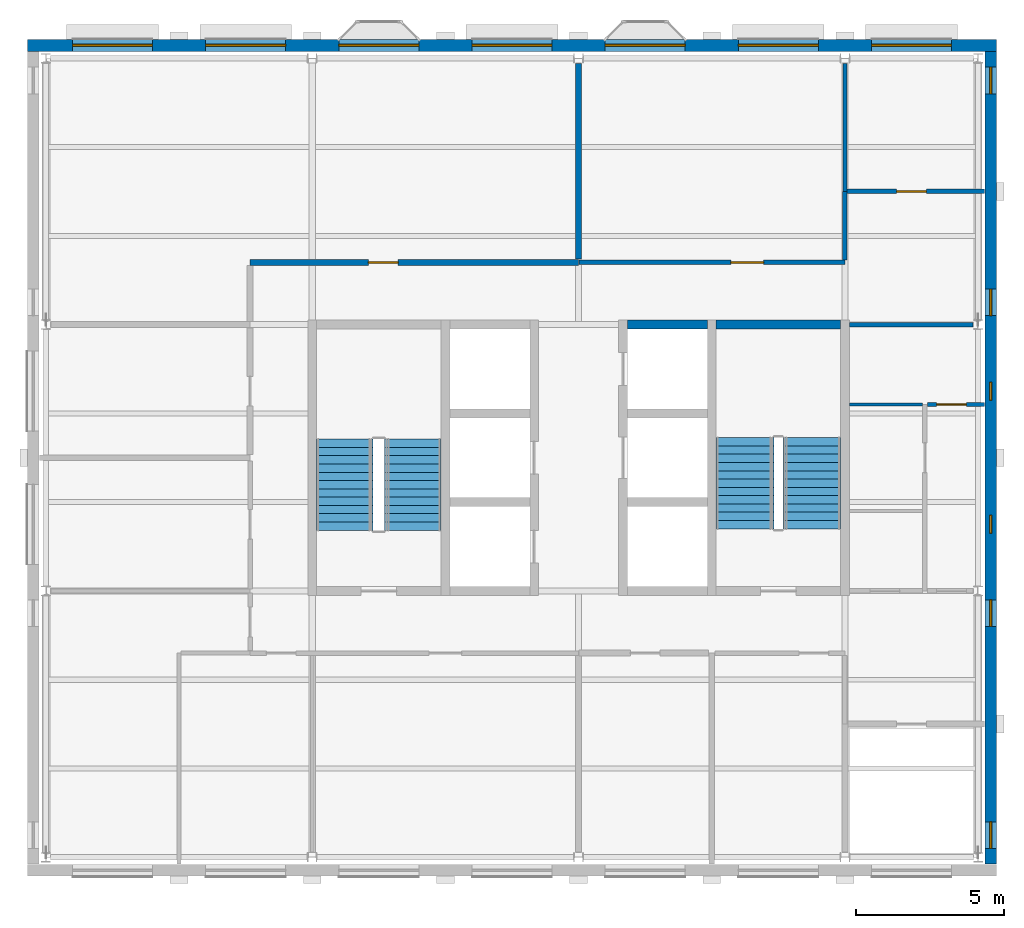
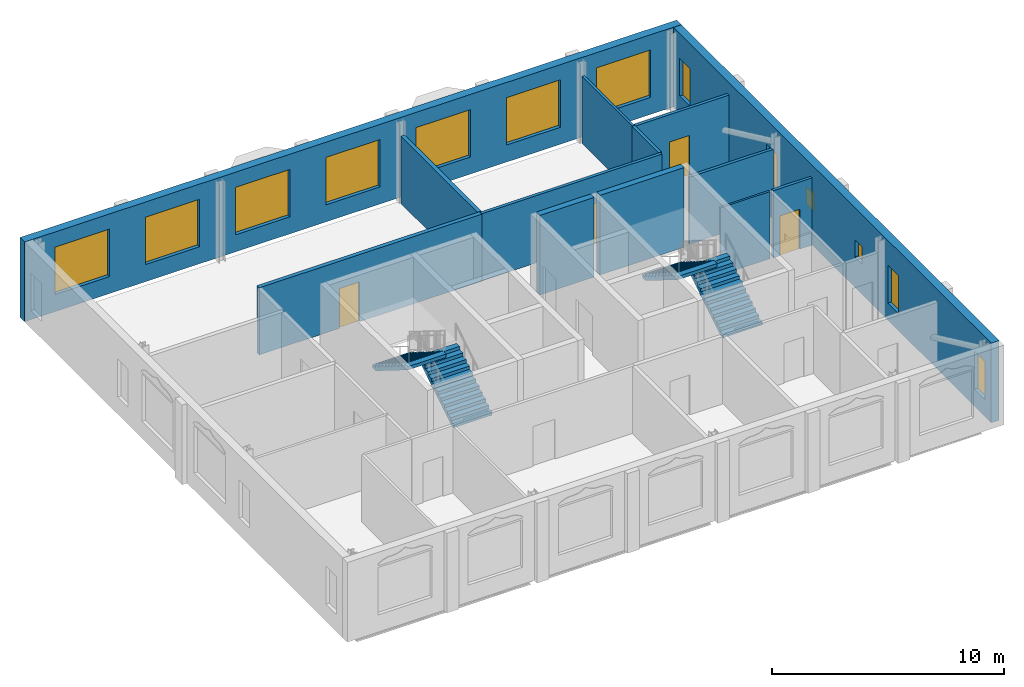
# One storey, part 5 of 9: 13 walls, 13 windows, 4 doors, 4 stair flights, 17 openings, 2 elements without a shape of their own.
"""IFC4 building model written with IfcOpenShell, lengths in metres."""

from ifc_helpers import new_model, si_unit, direction, frame, frame_2d, origin, place, context, subcontext, project, spatial, polyline, rectangle, outline, extrude, material, layer, layer_set, type_object, element, fill, aggregate, save


model = new_model("IFC4")

# Units and contexts
model_context = context("Model", 3, precision=1e-05, world=origin(), true_north=direction((0.0, 1.0)))
body_context = subcontext(model_context, "Body", "Model", "MODEL_VIEW")
ifc_project = project(units=[si_unit("LENGTHUNIT", "METRE"), si_unit("AREAUNIT", "SQUARE_METRE"), si_unit("VOLUMEUNIT", "CUBIC_METRE"), si_unit("PLANEANGLEUNIT", "RADIAN"), si_unit("MASSUNIT", "GRAM", prefix="KILO")], contexts=[model_context])

# Site, building, storey
site_placement = place(None, origin())
site = spatial("IfcSite", under=ifc_project, at=site_placement, CompositionType="ELEMENT")
building_placement = place(site_placement, origin())
building = spatial("IfcBuilding", under=site, at=building_placement, Name="Hortulan Conservatory and Botanical Research Centre", CompositionType="ELEMENT")
storey_placement = place(building_placement, frame((0.0, 0.0, 44.39990234375)))
storey = spatial("IfcBuildingStorey", under=building, at=storey_placement, Name="L10", CompositionType="ELEMENT", Elevation=44.39990234375)

# Wall
ifc_material_1 = material(Name="Fire-rated plasterboard on steel studs", Category="steel")
ifc_layer_1 = layer(ifc_material_1, 0.199951171875)
ifc_layer_set_1 = layer_set([ifc_layer_1], Name="Compartment Partition 200")
wall_type_1 = type_object("IfcWallType", Name="Compartment Partition 200", PredefinedType="PARTITIONING", material=ifc_layer_set_1)
wall_1_placement = place(storey_placement, frame((18.0, 20.2099609375, 0.0), z_axis=(0.0, 0.0, 1.0), x_axis=(0.0, 1.0, 0.0)))
element("IfcWall", 1, at=wall_1_placement, inside=storey, type_object=wall_type_1, Name="Store wall", PredefinedType="PARTITIONING", context=body_context, shape_type="SweptSolid", body=[
    extrude(rectangle(XDim=6.61962890625, YDim=0.199951171875, at=frame_2d((3.309814453125, 0.0))), origin(), (0.0, 0.0, 1.0), 3.5419921875),
])

# Wall, opening, door
wall_2_placement = place(storey_placement, frame((6.89990234375, 20.10009765625, 0.0), z_axis=(0.0, 0.0, 1.0), x_axis=(1.0, 0.0, 0.0)))
wall_2 = element("IfcWall", 2, at=wall_2_placement, inside=storey, type_object=wall_type_1, Name="Store wall", PredefinedType="PARTITIONING", context=body_context, shape_type="SweptSolid", body=[
    extrude(rectangle(XDim=11.10009765625, YDim=0.199951171875, at=frame_2d((5.550048828125, 0.0))), origin(), (0.0, 0.0, 1.0), 3.5419921875),
])
opening_1_placement = place(wall_2_placement, frame((4.0, 0.0, 0.0)))
opening_1 = element("IfcOpeningElement", 3, at=opening_1_placement, cuts=wall_2, Name="Opening DT6", PredefinedType="OPENING", context=body_context, shape_type="SweptSolid", body=[
    extrude(rectangle(XDim=1.0, YDim=2.10009765625, at=frame_2d((0.5, 1.050048828125))), frame((0.0, 0.10986328125, 0.0), z_axis=(0.0, -1.0, 0.0), x_axis=(1.0, 0.0, 0.0)), (0.0, 0.0, 1.0), 0.219970703125),
])
ifc_material_2 = material(Name="Steel door leaf, insulated", Category="steel")
door_type_1 = type_object("IfcDoorType", Name="Fire Door 1000x2100 FRL -/120/30", OperationType="NOTDEFINED", PredefinedType="DOOR", material=ifc_material_2)
door_1_placement = place(opening_1_placement, origin())
door_1 = element("IfcDoor", 4, at=door_1_placement, inside=storey, type_object=door_type_1, Name="Door DT6 Cryopreservation Laboratory", OperationType="SINGLE_SWING_RIGHT", OverallHeight=2.10009765625, OverallWidth=1.0, PredefinedType="DOOR", context=body_context, shape_type="SweptSolid", body=[
    extrude(rectangle(XDim=1.0, YDim=2.10009765625, at=frame_2d((0.5, 1.050048828125))), frame((0.0, 0.02490234375, 0.0), z_axis=(0.0, -1.0, 0.0), x_axis=(1.0, 0.0, 0.0)), (0.0, 0.0, 1.0), 0.050048828125),
])
fill(opening_1, door_1)

# Walls
ifc_material_3 = material(Name="Concrete N40 (40 MPa, AS 3600)", Category="concrete")
ifc_layer_2 = layer(ifc_material_3, 0.300048828125)
ifc_layer_set_2 = layer_set([ifc_layer_2], Name="Core Wall 300 N40 FRL 240/120/120")
wall_type_2 = type_object("IfcWallType", Name="Core Wall 300 N40 FRL 240/120/120", PredefinedType="SHEAR", material=ifc_layer_set_2)
wall_3_placement = place(storey_placement, frame((19.64990234375, 18.0, 0.0), z_axis=(0.0, 0.0, 1.0), x_axis=(1.0, 0.0, 0.0)))
element("IfcWall", 5, at=wall_3_placement, inside=storey, type_object=wall_type_2, Name="Reinforced concrete shaft wall", PredefinedType="SHEAR", context=body_context, shape_type="SweptSolid", body=[
    extrude(rectangle(XDim=2.7001953125, YDim=0.300048828125, at=frame_2d((1.35009765625, 0.0))), origin(), (0.0, 0.0, 1.0), 4.2001953125),
])
wall_4_placement = place(storey_placement, frame((22.64990234375, 18.0, 0.0), z_axis=(0.0, 0.0, 1.0), x_axis=(1.0, 0.0, 0.0)))
element("IfcWall", 6, at=wall_4_placement, inside=storey, type_object=wall_type_2, Name="Reinforced concrete shaft wall", PredefinedType="SHEAR", context=body_context, shape_type="SweptSolid", body=[
    extrude(rectangle(XDim=4.2001953125, YDim=0.300048828125, at=frame_2d((2.10009765625, 0.0))), origin(), (0.0, 0.0, 1.0), 4.2001953125),
])
ifc_material_4 = material(Name="Plasterboard on steel studs", Category="steel")
ifc_layer_3 = layer(ifc_material_4, 0.14990234375)
ifc_layer_set_3 = layer_set([ifc_layer_3], Name="Corridor Partition 150")
wall_type_3 = type_object("IfcWallType", Name="Corridor Partition 150", PredefinedType="PARTITIONING", material=ifc_layer_set_3)
wall_5_placement = place(storey_placement, frame((27.0, 20.18505859375, 0.0), z_axis=(0.0, 0.0, 1.0), x_axis=(0.0, 1.0, 0.0)))
element("IfcWall", 7, at=wall_5_placement, inside=storey, type_object=wall_type_3, Name="Corridor partition", PredefinedType="PARTITIONING", context=body_context, shape_type="SweptSolid", body=[
    extrude(rectangle(XDim=2.304931640625, YDim=0.14990234375, at=frame_2d((1.15234375, 0.0))), origin(), (0.0, 0.0, 1.0), 3.5419921875),
])
wall_6_placement = place(storey_placement, frame((27.159912109375, 18.0, 0.0), z_axis=(0.0, 0.0, 1.0), x_axis=(1.0, 0.0, 0.0)))
element("IfcWall", 8, at=wall_6_placement, inside=storey, type_object=wall_type_3, Name="Corridor partition", PredefinedType="PARTITIONING", context=body_context, shape_type="SweptSolid", body=[
    extrude(rectangle(XDim=4.175537109375, YDim=0.14990234375, at=frame_2d((2.087890625, 0.0))), origin(), (0.0, 0.0, 1.0), 3.5419921875),
])

# Wall, opening, door
wall_7_placement = place(storey_placement, frame((18.010009765625, 20.10009765625, 0.0), z_axis=(0.0, 0.0, 1.0), x_axis=(1.0, 0.0, 0.0)))
wall_7 = element("IfcWall", 9, at=wall_7_placement, inside=storey, type_object=wall_type_3, Name="Corridor partition", PredefinedType="PARTITIONING", context=body_context, shape_type="SweptSolid", body=[
    extrude(rectangle(XDim=8.989990234375, YDim=0.14990234375, at=frame_2d((4.4951171875, 0.0))), origin(), (0.0, 0.0, 1.0), 3.5419921875),
])
opening_2_placement = place(wall_7_placement, frame((5.139892578125, 0.0, 0.0)))
opening_2 = element("IfcOpeningElement", 10, at=opening_2_placement, cuts=wall_7, Name="Opening DT3", PredefinedType="OPENING", context=body_context, shape_type="SweptSolid", body=[
    extrude(rectangle(XDim=1.10009765625, YDim=2.10009765625, at=frame_2d((0.550048828125, 1.050048828125))), frame((0.0, 0.0849609375, 0.0), z_axis=(0.0, -1.0, 0.0), x_axis=(1.0, 0.0, 0.0)), (0.0, 0.0, 1.0), 0.169921875),
])
ifc_material_5 = material(Name="Timber door leaf with vision panel", Category="wood")
door_type_2 = type_object("IfcDoorType", Name="Laboratory Door 1100x2100", OperationType="NOTDEFINED", PredefinedType="DOOR", material=ifc_material_5)
door_2_placement = place(opening_2_placement, origin())
door_2 = element("IfcDoor", 11, at=door_2_placement, inside=storey, type_object=door_type_2, Name="Door DT3 Specimen Preparation Laboratory", OperationType="SINGLE_SWING_LEFT", OverallHeight=2.10009765625, OverallWidth=1.10009765625, PredefinedType="DOOR", context=body_context, shape_type="SweptSolid", body=[
    extrude(rectangle(XDim=1.10009765625, YDim=2.10009765625, at=frame_2d((0.550048828125, 1.050048828125))), frame((0.0, 0.02490234375, 0.0), z_axis=(0.0, -1.0, 0.0), x_axis=(1.0, 0.0, 0.0)), (0.0, 0.0, 1.0), 0.050048828125),
])
fill(opening_2, door_2)

wall_8_placement = place(storey_placement, frame((27.072509765625, 22.5, 0.0), z_axis=(0.0, 0.0, 1.0), x_axis=(1.0, 0.0, 0.0)))
wall_8 = element("IfcWall", 12, at=wall_8_placement, inside=storey, type_object=wall_type_3, Name="Corridor partition", PredefinedType="PARTITIONING", context=body_context, shape_type="SweptSolid", body=[
    extrude(rectangle(XDim=4.642578125, YDim=0.14990234375, at=frame_2d((2.3212890625, 0.0))), origin(), (0.0, 0.0, 1.0), 3.5419921875),
])
opening_3_placement = place(wall_8_placement, frame((1.677490234375, 0.0, 0.0)))
opening_3 = element("IfcOpeningElement", 13, at=opening_3_placement, cuts=wall_8, Name="Opening DT1", PredefinedType="OPENING", context=body_context, shape_type="SweptSolid", body=[
    extrude(rectangle(XDim=1.0, YDim=2.10009765625, at=frame_2d((0.5, 1.050048828125))), frame((0.0, 0.0849609375, 0.0), z_axis=(0.0, -1.0, 0.0), x_axis=(1.0, 0.0, 0.0)), (0.0, 0.0, 1.0), 0.169921875),
])
ifc_material_6 = material(Name="Timber door leaf in timber frame", Category="wood")
door_type_3 = type_object("IfcDoorType", Name="Single Door 1000x2100", OperationType="NOTDEFINED", PredefinedType="DOOR", material=ifc_material_6)
door_3_placement = place(opening_3_placement, origin())
door_3 = element("IfcDoor", 14, at=door_3_placement, inside=storey, type_object=door_type_3, Name="Door DT1 Instrument Room", OperationType="SINGLE_SWING_RIGHT", OverallHeight=2.10009765625, OverallWidth=1.0, PredefinedType="DOOR", context=body_context, shape_type="SweptSolid", body=[
    extrude(rectangle(XDim=1.0, YDim=2.10009765625, at=frame_2d((0.5, 1.050048828125))), frame((0.0, 0.02490234375, 0.0), z_axis=(0.0, -1.0, 0.0), x_axis=(1.0, 0.0, 0.0)), (0.0, 0.0, 1.0), 0.050048828125),
])
fill(opening_3, door_3)

# Wall, openings, windows
ifc_material_7 = material(Name="Faience-faced brickwork masonry", Category="masonry")
ifc_layer_4 = layer(ifc_material_7, 0.39990234375)
ifc_layer_set_4 = layer_set([ifc_layer_4], Name="Faience-faced Masonry Cavity Wall 400")
wall_type_4 = type_object("IfcWallType", Name="Faience-faced Masonry Cavity Wall 400", PredefinedType="STANDARD", material=ifc_layer_set_4)
wall_9_placement = place(storey_placement, frame((-0.625, 27.43603515625, 0.0), z_axis=(0.0, 0.0, 1.0), x_axis=(1.0, 0.0, 0.0)))
wall_9 = element("IfcWall", 15, at=wall_9_placement, inside=storey, type_object=wall_type_4, Name="E-EW-TW-L10-N3", PredefinedType="STANDARD", context=body_context, shape_type="SweptSolid", body=[
    extrude(rectangle(XDim=32.75, YDim=0.39990234375, at=frame_2d((16.375, 0.0))), origin(), (0.0, 0.0, 1.0), 4.2001953125),
])
opening_4_placement = place(wall_9_placement, frame((1.52490234375, 0.0, 0.89990234375)))
opening_4 = element("IfcOpeningElement", 16, at=opening_4_placement, cuts=wall_9, Name="Opening W4", PredefinedType="OPENING", context=body_context, shape_type="SweptSolid", body=[
    extrude(rectangle(XDim=2.699951171875, YDim=2.5, at=frame_2d((1.35009765625, 1.25))), frame((0.0, 0.2099609375, 0.0), z_axis=(0.0, -1.0, 0.0), x_axis=(1.0, 0.0, 0.0)), (0.0, 0.0, 1.0), 0.419921875),
])
opening_5_placement = place(wall_9_placement, frame((6.02490234375, 0.0, 0.89990234375)))
opening_5 = element("IfcOpeningElement", 17, at=opening_5_placement, cuts=wall_9, Name="Opening W4", PredefinedType="OPENING", context=body_context, shape_type="SweptSolid", body=[
    extrude(rectangle(XDim=2.699951171875, YDim=2.5, at=frame_2d((1.35009765625, 1.25))), frame((0.0, 0.2099609375, 0.0), z_axis=(0.0, -1.0, 0.0), x_axis=(1.0, 0.0, 0.0)), (0.0, 0.0, 1.0), 0.419921875),
])
opening_6_placement = place(wall_9_placement, frame((10.52490234375, 0.0, 0.89990234375)))
opening_6 = element("IfcOpeningElement", 18, at=opening_6_placement, cuts=wall_9, Name="Opening W4", PredefinedType="OPENING", context=body_context, shape_type="SweptSolid", body=[
    extrude(rectangle(XDim=2.699951171875, YDim=2.5, at=frame_2d((1.35009765625, 1.25))), frame((0.0, 0.2099609375, 0.0), z_axis=(0.0, -1.0, 0.0), x_axis=(1.0, 0.0, 0.0)), (0.0, 0.0, 1.0), 0.419921875),
])
opening_7_placement = place(wall_9_placement, frame((15.02490234375, 0.0, 0.89990234375)))
opening_7 = element("IfcOpeningElement", 19, at=opening_7_placement, cuts=wall_9, Name="Opening W4", PredefinedType="OPENING", context=body_context, shape_type="SweptSolid", body=[
    extrude(rectangle(XDim=2.699951171875, YDim=2.5, at=frame_2d((1.35009765625, 1.25))), frame((0.0, 0.2099609375, 0.0), z_axis=(0.0, -1.0, 0.0), x_axis=(1.0, 0.0, 0.0)), (0.0, 0.0, 1.0), 0.419921875),
])
opening_8_placement = place(wall_9_placement, frame((19.52490234375, 0.0, 0.89990234375)))
opening_8 = element("IfcOpeningElement", 20, at=opening_8_placement, cuts=wall_9, Name="Opening W4", PredefinedType="OPENING", context=body_context, shape_type="SweptSolid", body=[
    extrude(rectangle(XDim=2.699951171875, YDim=2.5, at=frame_2d((1.35009765625, 1.25))), frame((0.0, 0.2099609375, 0.0), z_axis=(0.0, -1.0, 0.0), x_axis=(1.0, 0.0, 0.0)), (0.0, 0.0, 1.0), 0.419921875),
])
opening_9_placement = place(wall_9_placement, frame((24.02490234375, 0.0, 0.89990234375)))
opening_9 = element("IfcOpeningElement", 21, at=opening_9_placement, cuts=wall_9, Name="Opening W4", PredefinedType="OPENING", context=body_context, shape_type="SweptSolid", body=[
    extrude(rectangle(XDim=2.699951171875, YDim=2.5, at=frame_2d((1.35009765625, 1.25))), frame((0.0, 0.2099609375, 0.0), z_axis=(0.0, -1.0, 0.0), x_axis=(1.0, 0.0, 0.0)), (0.0, 0.0, 1.0), 0.419921875),
])
opening_10_placement = place(wall_9_placement, frame((28.52490234375, 0.0, 0.89990234375)))
opening_10 = element("IfcOpeningElement", 22, at=opening_10_placement, cuts=wall_9, Name="Opening W4", PredefinedType="OPENING", context=body_context, shape_type="SweptSolid", body=[
    extrude(rectangle(XDim=2.699951171875, YDim=2.5, at=frame_2d((1.35009765625, 1.25))), frame((0.0, 0.2099609375, 0.0), z_axis=(0.0, -1.0, 0.0), x_axis=(1.0, 0.0, 0.0)), (0.0, 0.0, 1.0), 0.419921875),
])
ifc_material_8 = material(Name="Bronze-finished aluminium frame with low-e laminated double glazing", Category="aluminium")
window_type_1 = type_object("IfcWindowType", Name="Faience Window 2700x2500", PartitioningType="SINGLE_PANEL", PredefinedType="WINDOW", material=ifc_material_8)
window_1_placement = place(opening_4_placement, origin())
window_1 = element("IfcWindow", 23, at=window_1_placement, inside=storey, type_object=window_type_1, Name="Faience window", OverallHeight=2.5, OverallWidth=2.699951171875, PartitioningType="SINGLE_PANEL", PredefinedType="WINDOW", context=body_context, shape_type="SweptSolid", body=[
    extrude(rectangle(XDim=2.699951171875, YDim=2.5, at=frame_2d((1.35009765625, 1.25))), frame((0.0, 0.030029296875, 0.0), z_axis=(0.0, -1.0, 0.0), x_axis=(1.0, 0.0, 0.0)), (0.0, 0.0, 1.0), 0.06005859375),
])
fill(opening_4, window_1)
window_2_placement = place(opening_5_placement, origin())
window_2 = element("IfcWindow", 24, at=window_2_placement, inside=storey, type_object=window_type_1, Name="Faience window", OverallHeight=2.5, OverallWidth=2.699951171875, PartitioningType="SINGLE_PANEL", PredefinedType="WINDOW", context=body_context, shape_type="SweptSolid", body=[
    extrude(rectangle(XDim=2.699951171875, YDim=2.5, at=frame_2d((1.35009765625, 1.25))), frame((0.0, 0.030029296875, 0.0), z_axis=(0.0, -1.0, 0.0), x_axis=(1.0, 0.0, 0.0)), (0.0, 0.0, 1.0), 0.06005859375),
])
fill(opening_5, window_2)
window_3_placement = place(opening_6_placement, origin())
window_3 = element("IfcWindow", 25, at=window_3_placement, inside=storey, type_object=window_type_1, Name="Faience window", OverallHeight=2.5, OverallWidth=2.699951171875, PartitioningType="SINGLE_PANEL", PredefinedType="WINDOW", context=body_context, shape_type="SweptSolid", body=[
    extrude(rectangle(XDim=2.699951171875, YDim=2.5, at=frame_2d((1.35009765625, 1.25))), frame((0.0, 0.030029296875, 0.0), z_axis=(0.0, -1.0, 0.0), x_axis=(1.0, 0.0, 0.0)), (0.0, 0.0, 1.0), 0.06005859375),
])
fill(opening_6, window_3)
window_4_placement = place(opening_7_placement, origin())
window_4 = element("IfcWindow", 26, at=window_4_placement, inside=storey, type_object=window_type_1, Name="Faience window", OverallHeight=2.5, OverallWidth=2.699951171875, PartitioningType="SINGLE_PANEL", PredefinedType="WINDOW", context=body_context, shape_type="SweptSolid", body=[
    extrude(rectangle(XDim=2.699951171875, YDim=2.5, at=frame_2d((1.35009765625, 1.25))), frame((0.0, 0.030029296875, 0.0), z_axis=(0.0, -1.0, 0.0), x_axis=(1.0, 0.0, 0.0)), (0.0, 0.0, 1.0), 0.06005859375),
])
fill(opening_7, window_4)
window_5_placement = place(opening_8_placement, origin())
window_5 = element("IfcWindow", 27, at=window_5_placement, inside=storey, type_object=window_type_1, Name="Faience window", OverallHeight=2.5, OverallWidth=2.699951171875, PartitioningType="SINGLE_PANEL", PredefinedType="WINDOW", context=body_context, shape_type="SweptSolid", body=[
    extrude(rectangle(XDim=2.699951171875, YDim=2.5, at=frame_2d((1.35009765625, 1.25))), frame((0.0, 0.030029296875, 0.0), z_axis=(0.0, -1.0, 0.0), x_axis=(1.0, 0.0, 0.0)), (0.0, 0.0, 1.0), 0.06005859375),
])
fill(opening_8, window_5)
window_6_placement = place(opening_9_placement, origin())
window_6 = element("IfcWindow", 28, at=window_6_placement, inside=storey, type_object=window_type_1, Name="Faience window", OverallHeight=2.5, OverallWidth=2.699951171875, PartitioningType="SINGLE_PANEL", PredefinedType="WINDOW", context=body_context, shape_type="SweptSolid", body=[
    extrude(rectangle(XDim=2.699951171875, YDim=2.5, at=frame_2d((1.35009765625, 1.25))), frame((0.0, 0.030029296875, 0.0), z_axis=(0.0, -1.0, 0.0), x_axis=(1.0, 0.0, 0.0)), (0.0, 0.0, 1.0), 0.06005859375),
])
fill(opening_9, window_6)
window_7_placement = place(opening_10_placement, origin())
window_7 = element("IfcWindow", 29, at=window_7_placement, inside=storey, type_object=window_type_1, Name="Faience window", OverallHeight=2.5, OverallWidth=2.699951171875, PartitioningType="SINGLE_PANEL", PredefinedType="WINDOW", context=body_context, shape_type="SweptSolid", body=[
    extrude(rectangle(XDim=2.699951171875, YDim=2.5, at=frame_2d((1.35009765625, 1.25))), frame((0.0, 0.030029296875, 0.0), z_axis=(0.0, -1.0, 0.0), x_axis=(1.0, 0.0, 0.0)), (0.0, 0.0, 1.0), 0.06005859375),
])
fill(opening_10, window_7)

wall_10_placement = place(storey_placement, frame((31.925048828125, 27.22509765625, 0.0), z_axis=(0.0, 0.0, 1.0), x_axis=(0.0, -1.0, 0.0)))
wall_10 = element("IfcWall", 30, at=wall_10_placement, inside=storey, type_object=wall_type_4, Name="E-EW-TW-L10-E4", PredefinedType="STANDARD", context=body_context, shape_type="SweptSolid", body=[
    extrude(rectangle(XDim=27.4501953125, YDim=0.39990234375, at=frame_2d((13.72509765625, 0.0))), origin(), (0.0, 0.0, 1.0), 4.2001953125),
])
opening_11_placement = place(wall_10_placement, frame((26.02490234375, 0.0, 0.89990234375)))
opening_11 = element("IfcOpeningElement", 31, at=opening_11_placement, cuts=wall_10, Name="Opening W5", PredefinedType="OPENING", context=body_context, shape_type="SweptSolid", body=[
    extrude(rectangle(XDim=0.89990234375, YDim=2.0, at=frame_2d((0.449951171875, 1.0))), frame((0.0, 0.2099609375, 0.0), z_axis=(0.0, -1.0, 0.0), x_axis=(1.0, 0.0, 0.0)), (0.0, 0.0, 1.0), 0.419921875),
])
opening_12_placement = place(wall_10_placement, frame((18.52490234375, 0.0, 0.89990234375)))
opening_12 = element("IfcOpeningElement", 32, at=opening_12_placement, cuts=wall_10, Name="Opening W5", PredefinedType="OPENING", context=body_context, shape_type="SweptSolid", body=[
    extrude(rectangle(XDim=0.89990234375, YDim=2.0, at=frame_2d((0.449951171875, 1.0))), frame((0.0, 0.2099609375, 0.0), z_axis=(0.0, -1.0, 0.0), x_axis=(1.0, 0.0, 0.0)), (0.0, 0.0, 1.0), 0.419921875),
])
opening_13_placement = place(wall_10_placement, frame((15.675048828125, 0.0, 1.60009765625)))
opening_13 = element("IfcOpeningElement", 33, at=opening_13_placement, cuts=wall_10, Name="Opening W3", PredefinedType="OPENING", context=body_context, shape_type="SweptSolid", body=[
    extrude(rectangle(XDim=0.60009765625, YDim=0.89990234375, at=frame_2d((0.300048828125, 0.449951171875))), frame((0.0, 0.2099609375, 0.0), z_axis=(0.0, -1.0, 0.0), x_axis=(1.0, 0.0, 0.0)), (0.0, 0.0, 1.0), 0.419921875),
])
opening_14_placement = place(wall_10_placement, frame((11.175048828125, 0.0, 1.60009765625)))
opening_14 = element("IfcOpeningElement", 34, at=opening_14_placement, cuts=wall_10, Name="Opening W3", PredefinedType="OPENING", context=body_context, shape_type="SweptSolid", body=[
    extrude(rectangle(XDim=0.60009765625, YDim=0.89990234375, at=frame_2d((0.300048828125, 0.449951171875))), frame((0.0, 0.2099609375, 0.0), z_axis=(0.0, -1.0, 0.0), x_axis=(1.0, 0.0, 0.0)), (0.0, 0.0, 1.0), 0.419921875),
])
opening_15_placement = place(wall_10_placement, frame((8.02490234375, 0.0, 0.89990234375)))
opening_15 = element("IfcOpeningElement", 35, at=opening_15_placement, cuts=wall_10, Name="Opening W5", PredefinedType="OPENING", context=body_context, shape_type="SweptSolid", body=[
    extrude(rectangle(XDim=0.89990234375, YDim=2.0, at=frame_2d((0.449951171875, 1.0))), frame((0.0, 0.2099609375, 0.0), z_axis=(0.0, -1.0, 0.0), x_axis=(1.0, 0.0, 0.0)), (0.0, 0.0, 1.0), 0.419921875),
])
opening_16_placement = place(wall_10_placement, frame((0.52490234375, 0.0, 0.89990234375)))
opening_16 = element("IfcOpeningElement", 36, at=opening_16_placement, cuts=wall_10, Name="Opening W5", PredefinedType="OPENING", context=body_context, shape_type="SweptSolid", body=[
    extrude(rectangle(XDim=0.89990234375, YDim=2.0, at=frame_2d((0.449951171875, 1.0))), frame((0.0, 0.2099609375, 0.0), z_axis=(0.0, -1.0, 0.0), x_axis=(1.0, 0.0, 0.0)), (0.0, 0.0, 1.0), 0.419921875),
])
window_type_2 = type_object("IfcWindowType", Name="Faience Pier Window 900x2000", PartitioningType="SINGLE_PANEL", PredefinedType="WINDOW", material=ifc_material_8)
window_8_placement = place(opening_11_placement, origin())
window_8 = element("IfcWindow", 37, at=window_8_placement, inside=storey, type_object=window_type_2, Name="Faience Pier window", OverallHeight=2.0, OverallWidth=0.89990234375, PartitioningType="SINGLE_PANEL", PredefinedType="WINDOW", context=body_context, shape_type="SweptSolid", body=[
    extrude(rectangle(XDim=0.89990234375, YDim=2.0, at=frame_2d((0.449951171875, 1.0))), frame((0.0, 0.030029296875, 0.0), z_axis=(0.0, -1.0, 0.0), x_axis=(1.0, 0.0, 0.0)), (0.0, 0.0, 1.0), 0.06005859375),
])
fill(opening_11, window_8)
window_9_placement = place(opening_12_placement, origin())
window_9 = element("IfcWindow", 38, at=window_9_placement, inside=storey, type_object=window_type_2, Name="Faience Pier window", OverallHeight=2.0, OverallWidth=0.89990234375, PartitioningType="SINGLE_PANEL", PredefinedType="WINDOW", context=body_context, shape_type="SweptSolid", body=[
    extrude(rectangle(XDim=0.89990234375, YDim=2.0, at=frame_2d((0.449951171875, 1.0))), frame((0.0, 0.030029296875, 0.0), z_axis=(0.0, -1.0, 0.0), x_axis=(1.0, 0.0, 0.0)), (0.0, 0.0, 1.0), 0.06005859375),
])
fill(opening_12, window_9)
window_10_placement = place(opening_15_placement, origin())
window_10 = element("IfcWindow", 39, at=window_10_placement, inside=storey, type_object=window_type_2, Name="Faience Pier window", OverallHeight=2.0, OverallWidth=0.89990234375, PartitioningType="SINGLE_PANEL", PredefinedType="WINDOW", context=body_context, shape_type="SweptSolid", body=[
    extrude(rectangle(XDim=0.89990234375, YDim=2.0, at=frame_2d((0.449951171875, 1.0))), frame((0.0, 0.030029296875, 0.0), z_axis=(0.0, -1.0, 0.0), x_axis=(1.0, 0.0, 0.0)), (0.0, 0.0, 1.0), 0.06005859375),
])
fill(opening_15, window_10)
window_11_placement = place(opening_16_placement, origin())
window_11 = element("IfcWindow", 40, at=window_11_placement, inside=storey, type_object=window_type_2, Name="Faience Pier window", OverallHeight=2.0, OverallWidth=0.89990234375, PartitioningType="SINGLE_PANEL", PredefinedType="WINDOW", context=body_context, shape_type="SweptSolid", body=[
    extrude(rectangle(XDim=0.89990234375, YDim=2.0, at=frame_2d((0.449951171875, 1.0))), frame((0.0, 0.030029296875, 0.0), z_axis=(0.0, -1.0, 0.0), x_axis=(1.0, 0.0, 0.0)), (0.0, 0.0, 1.0), 0.06005859375),
])
fill(opening_16, window_11)
window_type_3 = type_object("IfcWindowType", Name="Slot Window 600x900", PartitioningType="SINGLE_PANEL", PredefinedType="WINDOW", material=ifc_material_8)
window_12_placement = place(opening_13_placement, origin())
window_12 = element("IfcWindow", 41, at=window_12_placement, inside=storey, type_object=window_type_3, Name="Slot window", OverallHeight=0.89990234375, OverallWidth=0.60009765625, PartitioningType="SINGLE_PANEL", PredefinedType="WINDOW", context=body_context, shape_type="SweptSolid", body=[
    extrude(rectangle(XDim=0.60009765625, YDim=0.89990234375, at=frame_2d((0.300048828125, 0.449951171875))), frame((0.0, 0.030029296875, 0.0), z_axis=(0.0, -1.0, 0.0), x_axis=(1.0, 0.0, 0.0)), (0.0, 0.0, 1.0), 0.06005859375),
])
fill(opening_13, window_12)
window_13_placement = place(opening_14_placement, origin())
window_13 = element("IfcWindow", 42, at=window_13_placement, inside=storey, type_object=window_type_3, Name="Slot window", OverallHeight=0.89990234375, OverallWidth=0.60009765625, PartitioningType="SINGLE_PANEL", PredefinedType="WINDOW", context=body_context, shape_type="SweptSolid", body=[
    extrude(rectangle(XDim=0.60009765625, YDim=0.89990234375, at=frame_2d((0.300048828125, 0.449951171875))), frame((0.0, 0.030029296875, 0.0), z_axis=(0.0, -1.0, 0.0), x_axis=(1.0, 0.0, 0.0)), (0.0, 0.0, 1.0), 0.06005859375),
])
fill(opening_14, window_13)

# Wall, opening, door
ifc_layer_5 = layer(ifc_material_1, 0.14990234375)
ifc_layer_set_5 = layer_set([ifc_layer_5], Name="Lobby Partition 150")
wall_type_5 = type_object("IfcWallType", Name="Lobby Partition 150", PredefinedType="PARTITIONING", material=ifc_layer_set_5)
wall_11_placement = place(storey_placement, frame((29.784912109375, 15.300048828125, 0.0), z_axis=(0.0, 0.0, 1.0), x_axis=(1.0, 0.0, 0.0)))
wall_11 = element("IfcWall", 43, at=wall_11_placement, inside=storey, type_object=wall_type_5, Name="Lobby partition", PredefinedType="PARTITIONING", context=body_context, shape_type="SweptSolid", body=[
    extrude(rectangle(XDim=1.93017578125, YDim=0.14990234375, at=frame_2d((0.965087890625, 0.0))), origin(), (0.0, 0.0, 1.0), 3.5419921875),
])
opening_17_placement = place(wall_11_placement, frame((0.31494140625, 0.0, 0.0)))
opening_17 = element("IfcOpeningElement", 44, at=opening_17_placement, cuts=wall_11, Name="Opening DT4", PredefinedType="OPENING", context=body_context, shape_type="SweptSolid", body=[
    extrude(rectangle(XDim=1.0, YDim=2.10009765625, at=frame_2d((0.5, 1.050048828125))), frame((0.0, 0.0849609375, 0.0), z_axis=(0.0, -1.0, 0.0), x_axis=(1.0, 0.0, 0.0)), (0.0, 0.0, 1.0), 0.169921875),
])
door_type_4 = type_object("IfcDoorType", Name="Fire Door 1000x2100 FRL -/60/30", OperationType="NOTDEFINED", PredefinedType="DOOR", material=ifc_material_2)
door_4_placement = place(opening_17_placement, origin())
door_4 = element("IfcDoor", 45, at=door_4_placement, inside=storey, type_object=door_type_4, Name="Door DT4 Men's WC", OperationType="SINGLE_SWING_RIGHT", OverallHeight=2.10009765625, OverallWidth=1.0, PredefinedType="DOOR", context=body_context, shape_type="SweptSolid", body=[
    extrude(rectangle(XDim=1.0, YDim=2.10009765625, at=frame_2d((0.5, 1.050048828125))), frame((0.0, 0.02490234375, 0.0), z_axis=(0.0, -1.0, 0.0), x_axis=(1.0, 0.0, 0.0)), (0.0, 0.0, 1.0), 0.050048828125),
])
fill(opening_17, door_4)

# Walls
ifc_layer_6 = layer(ifc_material_4, 0.125)
ifc_layer_set_6 = layer_set([ifc_layer_6], Name="Partition 125")
wall_type_6 = type_object("IfcWallType", Name="Partition 125", PredefinedType="PARTITIONING", material=ifc_layer_set_6)
wall_12_placement = place(storey_placement, frame((27.0, 22.5, 0.0), z_axis=(0.0, 0.0, 1.0), x_axis=(0.0, 1.0, 0.0)))
element("IfcWall", 46, at=wall_12_placement, inside=storey, type_object=wall_type_6, Name="Partition", PredefinedType="PARTITIONING", context=body_context, shape_type="SweptSolid", body=[
    extrude(rectangle(XDim=4.32958984375, YDim=0.125, at=frame_2d((2.164794921875, 0.0))), origin(), (0.0, 0.0, 1.0), 3.5419921875),
])
ifc_material_9 = material(Name="Moisture-resistant plasterboard on steel studs", Category="steel")
ifc_layer_7 = layer(ifc_material_9, 0.10009765625)
ifc_layer_set_7 = layer_set([ifc_layer_7], Name="Wet Area Partition 100")
wall_type_7 = type_object("IfcWallType", Name="Wet Area Partition 100", PredefinedType="PARTITIONING", material=ifc_layer_set_7)
wall_13_placement = place(storey_placement, frame((27.159912109375, 15.300048828125, 0.0), z_axis=(0.0, 0.0, 1.0), x_axis=(1.0, 0.0, 0.0)))
element("IfcWall", 47, at=wall_13_placement, inside=storey, type_object=wall_type_7, Name="Toilet partition", PredefinedType="PARTITIONING", context=body_context, shape_type="SweptSolid", body=[
    extrude(rectangle(XDim=2.455078125, YDim=0.10009765625, at=frame_2d((1.2275390625, 0.0))), origin(), (0.0, 0.0, 1.0), 3.5419921875),
])

# Stair, stair flights
stair_type_1 = type_object("IfcStairType", Name="Concrete Escape Stair 1900", PredefinedType="HALF_TURN_STAIR", material=ifc_material_3)
stair_1_placement = place(storey_placement, origin())
stair_1 = element("IfcStair", 48, at=stair_1_placement, inside=storey, type_object=stair_type_1, Name="Stair T1 L10", PredefinedType="HALF_TURN_STAIR")
ifc_layer_8 = layer(ifc_material_3, 0.14990234375)
ifc_layer_set_8 = layer_set([ifc_layer_8], Name="Stair Flight 1900 wide, riser 175")
stair_flight_type_1 = type_object("IfcStairFlightType", Name="Stair Flight 1900 wide, riser 175", PredefinedType="STRAIGHT", material=ifc_layer_set_8)
stair_flight_1_placement = place(storey_placement, frame((12.39990234375, 11.050048828125, 0.0), z_axis=(0.0, 0.0, 1.0), x_axis=(0.0, 1.0, 0.0)))
stair_flight_1 = element("IfcStairFlight", 49, at=stair_flight_1_placement, type_object=stair_flight_type_1, Name="Stair T1 L10 flight 1", NumberOfRisers=12, NumberOfTreads=11, PredefinedType="STRAIGHT", RiserHeight=0.175, TreadLength=0.28, context=body_context, shape_type="SweptSolid", body=[
    extrude(outline(polyline([(0.0, 0.0), (0.0, 0.175048828125), (0.280029296875, 0.175048828125), (0.280029296875, 0.35009765625), (0.56005859375, 0.35009765625), (0.56005859375, 0.52490234375), (0.840087890625, 0.52490234375), (0.840087890625, 0.699951171875), (1.1201171875, 0.699951171875), (1.1201171875, 0.875), (1.39990234375, 0.875), (1.39990234375, 1.050048828125), (1.679931640625, 1.050048828125), (1.679931640625, 1.22509765625), (1.9599609375, 1.22509765625), (1.9599609375, 1.39990234375), (2.239990234375, 1.39990234375), (2.239990234375, 1.574951171875), (2.52001953125, 1.574951171875), (2.52001953125, 1.75), (2.800048828125, 1.75), (2.800048828125, 1.925048828125), (3.080078125, 1.925048828125), (3.080078125, 2.10009765625), (3.080078125, 1.748291015625), (0.28271484375, 0.0), (0.0, 0.0)])), frame((0.0, 0.949951171875, 0.0), z_axis=(0.0, -1.0, 0.0), x_axis=(1.0, 0.0, 0.0)), (0.0, 0.0, 1.0), 1.89990234375),
])
stair_flight_2_placement = place(storey_placement, frame((10.10009765625, 14.1298828125, 2.10009765625), z_axis=(0.0, 0.0, 1.0), x_axis=(0.0, -1.0, 0.0)))
stair_flight_2 = element("IfcStairFlight", 50, at=stair_flight_2_placement, type_object=stair_flight_type_1, Name="Stair T1 L10 flight 2", NumberOfRisers=12, NumberOfTreads=11, PredefinedType="STRAIGHT", RiserHeight=0.175, TreadLength=0.28, context=body_context, shape_type="SweptSolid", body=[
    extrude(outline(polyline([(0.0, 0.0), (0.0, 0.175048828125), (0.280029296875, 0.175048828125), (0.280029296875, 0.35009765625), (0.56005859375, 0.35009765625), (0.56005859375, 0.52490234375), (0.840087890625, 0.52490234375), (0.840087890625, 0.699951171875), (1.1201171875, 0.699951171875), (1.1201171875, 0.875), (1.39990234375, 0.875), (1.39990234375, 1.050048828125), (1.679931640625, 1.050048828125), (1.679931640625, 1.22509765625), (1.9599609375, 1.22509765625), (1.9599609375, 1.39990234375), (2.239990234375, 1.39990234375), (2.239990234375, 1.574951171875), (2.52001953125, 1.574951171875), (2.52001953125, 1.75), (2.800048828125, 1.75), (2.800048828125, 1.925048828125), (3.080078125, 1.925048828125), (3.080078125, 2.10009765625), (3.080078125, 1.748291015625), (0.28271484375, 0.0), (0.0, 0.0)])), frame((0.0, 0.949951171875, 0.0), z_axis=(0.0, -1.0, 0.0), x_axis=(1.0, 0.0, 0.0)), (0.0, 0.0, 1.0), 1.89990234375),
])
aggregate(stair_1, [stair_flight_1, stair_flight_2])

stair_type_2 = type_object("IfcStairType", Name="Concrete Escape Stair 1950", PredefinedType="HALF_TURN_STAIR", material=ifc_material_3)
stair_2_placement = place(storey_placement, origin())
stair_2 = element("IfcStair", 51, at=stair_2_placement, inside=storey, type_object=stair_type_2, Name="Stair T2 L10", PredefinedType="HALF_TURN_STAIR")
ifc_layer_9 = layer(ifc_material_3, 0.14990234375)
ifc_layer_set_9 = layer_set([ifc_layer_9], Name="Stair Flight 1950 wide, riser 175")
stair_flight_type_2 = type_object("IfcStairFlightType", Name="Stair Flight 1950 wide, riser 175", PredefinedType="STRAIGHT", material=ifc_layer_set_9)
stair_flight_3_placement = place(storey_placement, frame((25.875, 11.10009765625, 0.0), z_axis=(0.0, 0.0, 1.0), x_axis=(0.0, 1.0, 0.0)))
stair_flight_3 = element("IfcStairFlight", 52, at=stair_flight_3_placement, type_object=stair_flight_type_2, Name="Stair T2 L10 flight 1", NumberOfRisers=12, NumberOfTreads=11, PredefinedType="STRAIGHT", RiserHeight=0.175, TreadLength=0.28, context=body_context, shape_type="SweptSolid", body=[
    extrude(outline(polyline([(0.0, 0.0), (0.0, 0.175048828125), (0.280029296875, 0.175048828125), (0.280029296875, 0.35009765625), (0.56005859375, 0.35009765625), (0.56005859375, 0.52490234375), (0.840087890625, 0.52490234375), (0.840087890625, 0.699951171875), (1.1201171875, 0.699951171875), (1.1201171875, 0.875), (1.39990234375, 0.875), (1.39990234375, 1.050048828125), (1.679931640625, 1.050048828125), (1.679931640625, 1.22509765625), (1.9599609375, 1.22509765625), (1.9599609375, 1.39990234375), (2.239990234375, 1.39990234375), (2.239990234375, 1.574951171875), (2.52001953125, 1.574951171875), (2.52001953125, 1.75), (2.800048828125, 1.75), (2.800048828125, 1.925048828125), (3.080078125, 1.925048828125), (3.080078125, 2.10009765625), (3.080078125, 1.748291015625), (0.28271484375, 0.0), (0.0, 0.0)])), frame((0.0, 0.97509765625, 0.0), z_axis=(0.0, -1.0, 0.0), x_axis=(1.0, 0.0, 0.0)), (0.0, 0.0, 1.0), 1.949951171875),
])
stair_flight_4_placement = place(storey_placement, frame((23.625, 14.179931640625, 2.10009765625), z_axis=(0.0, 0.0, 1.0), x_axis=(0.0, -1.0, 0.0)))
stair_flight_4 = element("IfcStairFlight", 53, at=stair_flight_4_placement, type_object=stair_flight_type_2, Name="Stair T2 L10 flight 2", NumberOfRisers=12, NumberOfTreads=11, PredefinedType="STRAIGHT", RiserHeight=0.175, TreadLength=0.28, context=body_context, shape_type="SweptSolid", body=[
    extrude(outline(polyline([(0.0, 0.0), (0.0, 0.175048828125), (0.280029296875, 0.175048828125), (0.280029296875, 0.35009765625), (0.56005859375, 0.35009765625), (0.56005859375, 0.52490234375), (0.840087890625, 0.52490234375), (0.840087890625, 0.699951171875), (1.1201171875, 0.699951171875), (1.1201171875, 0.875), (1.39990234375, 0.875), (1.39990234375, 1.050048828125), (1.679931640625, 1.050048828125), (1.679931640625, 1.22509765625), (1.9599609375, 1.22509765625), (1.9599609375, 1.39990234375), (2.239990234375, 1.39990234375), (2.239990234375, 1.574951171875), (2.52001953125, 1.574951171875), (2.52001953125, 1.75), (2.800048828125, 1.75), (2.800048828125, 1.925048828125), (3.080078125, 1.925048828125), (3.080078125, 2.10009765625), (3.080078125, 1.748291015625), (0.28271484375, 0.0), (0.0, 0.0)])), frame((0.0, 0.97509765625, 0.0), z_axis=(0.0, -1.0, 0.0), x_axis=(1.0, 0.0, 0.0)), (0.0, 0.0, 1.0), 1.949951171875),
])
aggregate(stair_2, [stair_flight_3, stair_flight_4])

save(model, "model.ifc")
